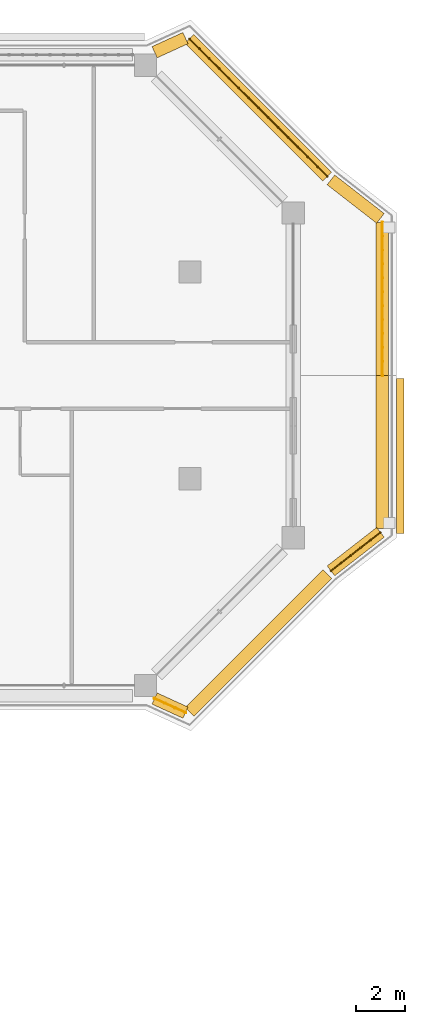
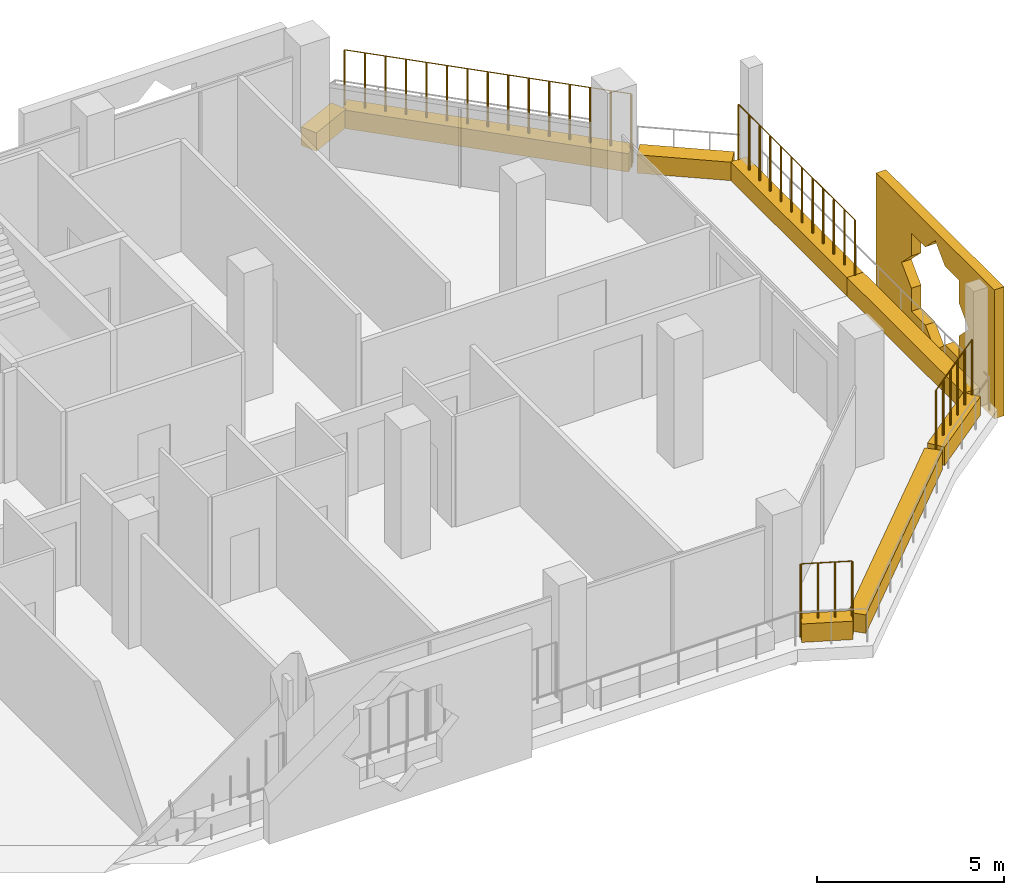
# One storey, part 22 of 22: 9 coverings, 4 railings.
"""IFC4 building model written with IfcOpenShell, lengths in metres."""

from ifc_helpers import new_model, si_unit, direction, frame, origin, origin_2d, place, context, subcontext, project, spatial, polyline, rectangle, circle, outline, extrude, material, material_profile, profile_set, type_object, element, save


model = new_model("IFC4")

# Units and contexts
model_context = context("Model", 3, precision=1e-05, world=origin(), true_north=direction((0.0, 1.0)))
body_context = subcontext(model_context, "Body", "Model", "MODEL_VIEW")
ifc_project = project(units=[si_unit("LENGTHUNIT", "METRE"), si_unit("AREAUNIT", "SQUARE_METRE"), si_unit("VOLUMEUNIT", "CUBIC_METRE"), si_unit("PLANEANGLEUNIT", "RADIAN"), si_unit("MASSUNIT", "GRAM", prefix="KILO")], contexts=[model_context])

# Site, building, storey
site_placement = place(None, origin())
site = spatial("IfcSite", under=ifc_project, at=site_placement, CompositionType="ELEMENT")
building_placement = place(site_placement, origin())
building = spatial("IfcBuilding", under=site, at=building_placement, Name="Kawkab Arch Medical Tower", CompositionType="ELEMENT")
storey_placement = place(building_placement, frame((0.0, 0.0, 255.800048828125)))
storey = spatial("IfcBuildingStorey", under=building, at=storey_placement, Name="L59", CompositionType="ELEMENT", Elevation=255.800048828125)

# Coverings
ifc_material_1 = material(Name="Bronze anodised aluminium mashrabiya panel, eight-point star pattern", Category="aluminium")
ifc_material_profile_1 = material_profile(ifc_material_1, outline(polyline([(-3.14990234375, -2.10009765625), (3.14990234375, -2.10009765625), (3.14990234375, 2.10009765625), (-3.14990234375, 2.10009765625), (-3.14990234375, -2.10009765625)]), holes=[polyline([(1.800048828125, 0.0), (1.272705078125, 0.527099609375), (1.272705078125, 1.272705078125), (0.527099609375, 1.272705078125), (0.0, 1.800048828125), (-0.527099609375, 1.272705078125), (-1.272705078125, 1.272705078125), (-1.272705078125, 0.527099609375), (-1.800048828125, 0.0), (-1.272705078125, -0.527099609375), (-1.272705078125, -1.272705078125), (-0.527099609375, -1.272705078125), (0.0, -1.800048828125), (0.527099609375, -1.272705078125), (1.272705078125, -1.272705078125), (1.272705078125, -0.527099609375), (1.800048828125, 0.0)])]), Name="Mashrabiya panel 6300x4200")
ifc_profile_set_1 = profile_set([ifc_material_profile_1], Name="Bronze anodised aluminium mashrabiya panel, eight-point star pattern")
covering_type_1 = type_object("IfcCoveringType", Name="Mashrabiya panel 6300 x 4200", PredefinedType="USERDEFINED", material=ifc_profile_set_1)
covering_1_placement = place(storey_placement, frame((67.199951171875, -15.877685546875, 1.699951171875), z_axis=(1.0, 0.0, 0.0), x_axis=(0.0, 1.0, 0.0)))
element("IfcCovering", 1, at=covering_1_placement, inside=storey, type_object=covering_type_1, Name="Mashrabiya panel L59.LOG-01-01.9", ObjectType="SCREEN", PredefinedType="USERDEFINED", context=body_context, shape_type="SweptSolid", body=[
    extrude(outline(polyline([(-3.14990234375, -2.10009765625), (3.14990234375, -2.10009765625), (3.14990234375, 2.10009765625), (-3.14990234375, 2.10009765625), (-3.14990234375, -2.10009765625)]), holes=[polyline([(1.800048828125, 0.0), (1.272705078125, 0.527099609375), (1.272705078125, 1.272705078125), (0.527099609375, 1.272705078125), (0.0, 1.800048828125), (-0.527099609375, 1.272705078125), (-1.272705078125, 1.272705078125), (-1.272705078125, 0.527099609375), (-1.800048828125, 0.0), (-1.272705078125, -0.527099609375), (-1.272705078125, -1.272705078125), (-0.527099609375, -1.272705078125), (0.0, -1.800048828125), (0.527099609375, -1.272705078125), (1.272705078125, -1.272705078125), (1.272705078125, -0.527099609375), (1.800048828125, 0.0)])]), origin(), (0.0, 0.0, 1.0), 0.300048828125),
])
ifc_material_2 = material(Name="Planting soil in a precast trough", Category="concrete")
ifc_material_profile_2 = material_profile(ifc_material_2, rectangle(XDim=0.5, YDim=0.60009765625, at=origin_2d()), Name="Trough 500x600")
ifc_profile_set_2 = profile_set([ifc_material_profile_2], Name="Planting soil in a precast trough")
covering_type_2 = type_object("IfcCoveringType", Name="Planter trough 500 x 600", PredefinedType="USERDEFINED", material=ifc_profile_set_2)
covering_2_placement = place(storey_placement, frame((57.366943359375, 0.530029296875, 0.300048828125), z_axis=(0.909831953447, 0.41497688669, 0.0), x_axis=(-0.41497688669, 0.909831953447, 0.0)))
element("IfcCovering", 2, at=covering_2_placement, inside=storey, type_object=covering_type_2, Name="Planter L59.LOG-01-01.24", ObjectType="PLANTER", PredefinedType="USERDEFINED", context=body_context, shape_type="SweptSolid", body=[
    extrude(rectangle(XDim=0.5, YDim=0.60009765625, at=origin_2d()), origin(), (0.0, 0.0, 1.0), 1.37841796875),
])
covering_3_placement = place(storey_placement, frame((58.782958984375, 1.072998046875, 0.300048828125), z_axis=(0.707106781187, -0.707106781187, 0.0), x_axis=(0.707106781187, 0.707106781187, 0.0)))
element("IfcCovering", 3, at=covering_3_placement, inside=storey, type_object=covering_type_2, Name="Planter L59.LOG-01-01.25", ObjectType="PLANTER", PredefinedType="USERDEFINED", context=body_context, shape_type="SweptSolid", body=[
    extrude(rectangle(XDim=0.5, YDim=0.60009765625, at=origin_2d()), origin(), (0.0, 0.0, 1.0), 7.919677734375),
])
covering_4_placement = place(storey_placement, frame((64.531982421875, -4.658935546875, 0.300048828125), z_axis=(0.789274742246, -0.61404021143, 0.0), x_axis=(0.61404021143, 0.789274742246, 0.0)))
element("IfcCovering", 4, at=covering_4_placement, inside=storey, type_object=covering_type_2, Name="Planter L59.LOG-01-01.26", ObjectType="PLANTER", PredefinedType="USERDEFINED", context=body_context, shape_type="SweptSolid", body=[
    extrude(rectangle(XDim=0.5, YDim=0.60009765625, at=origin_2d()), origin(), (0.0, 0.0, 1.0), 2.54541015625),
])
covering_5_placement = place(storey_placement, frame((66.6201171875, -6.384033203125, 0.300048828125), z_axis=(0.0, -1.0, 0.0), x_axis=(1.0, 0.0, 0.0)))
element("IfcCovering", 5, at=covering_5_placement, inside=storey, type_object=covering_type_2, Name="Planter L59.LOG-01-01.27", ObjectType="PLANTER", PredefinedType="USERDEFINED", context=body_context, shape_type="SweptSolid", body=[
    extrude(rectangle(XDim=0.5, YDim=0.60009765625, at=origin_2d()), origin(), (0.0, 0.0, 1.0), 6.216064453125),
])
covering_6_placement = place(storey_placement, frame((66.6201171875, -12.60009765625, 0.300048828125), z_axis=(0.0, -1.0, 0.0), x_axis=(1.0, 0.0, 0.0)))
element("IfcCovering", 6, at=covering_6_placement, inside=storey, type_object=covering_type_2, Name="Planter L59.LOG-01-01.28", ObjectType="PLANTER", PredefinedType="USERDEFINED", context=body_context, shape_type="SweptSolid", body=[
    extrude(rectangle(XDim=0.5, YDim=0.60009765625, at=origin_2d()), origin(), (0.0, 0.0, 1.0), 6.2158203125),
])
covering_7_placement = place(storey_placement, frame((66.541015625, -18.97802734375, 0.300048828125), z_axis=(-0.789274742246, -0.61404021143, 0.0), x_axis=(0.61404021143, -0.789274742246, 0.0)))
element("IfcCovering", 7, at=covering_7_placement, inside=storey, type_object=covering_type_2, Name="Planter L59.LOG-01-01.29", ObjectType="PLANTER", PredefinedType="USERDEFINED", context=body_context, shape_type="SweptSolid", body=[
    extrude(rectangle(XDim=0.5, YDim=0.60009765625, at=origin_2d()), origin(), (0.0, 0.0, 1.0), 2.54541015625),
])
covering_8_placement = place(storey_placement, frame((64.383056640625, -20.673095703125, 0.300048828125), z_axis=(-0.70712219479, -0.707091367247, 0.0), x_axis=(0.707091367247, -0.70712219479, 0.0)))
element("IfcCovering", 8, at=covering_8_placement, inside=storey, type_object=covering_type_2, Name="Planter L59.LOG-01-01.30", ObjectType="PLANTER", PredefinedType="USERDEFINED", context=body_context, shape_type="SweptSolid", body=[
    extrude(rectangle(XDim=0.5, YDim=0.60009765625, at=origin_2d()), origin(), (0.0, 0.0, 1.0), 7.919677734375),
])
covering_9_placement = place(storey_placement, frame((58.62109375, -26.302001953125, 0.300048828125), z_axis=(-0.909831953447, 0.41497688669, 0.0), x_axis=(-0.41497688669, -0.909831953447, 0.0)))
element("IfcCovering", 9, at=covering_9_placement, inside=storey, type_object=covering_type_2, Name="Planter L59.LOG-01-01.31", ObjectType="PLANTER", PredefinedType="USERDEFINED", context=body_context, shape_type="SweptSolid", body=[
    extrude(rectangle(XDim=0.5, YDim=0.60009765625, at=origin_2d()), origin(), (0.0, 0.0, 1.0), 1.37841796875),
])

# Railings
ifc_material_3 = material(Name="Bronze anodised aluminium trellis for climbing plants", Category="aluminium")
railing_type = type_object("IfcRailingType", Name="Planting trellis 2400", PredefinedType="USERDEFINED", material=ifc_material_3)
railing_1_placement = place(storey_placement, frame((58.782958984375, 1.072998046875, 0.0)))
element("IfcRailing", 10, at=railing_1_placement, inside=storey, type_object=railing_type, Name="Planting trellis L59.LOG-01-01.25", ObjectType="TRELLIS", PredefinedType="USERDEFINED", context=body_context, shape_type="SweptSolid", body=[
    extrude(circle(Radius=0.01513671875, at=origin_2d()), frame((0.0, 0.0, 2.384765625), z_axis=(0.707106781187, -0.707106781187, 0.0), x_axis=(0.707106781187, 0.707106781187, 0.0)), (0.0, 0.0, 1.0), 7.919677734375),
    extrude(circle(Radius=0.030029296875, at=origin_2d()), origin(), (0.0, 0.0, 1.0), 2.369873046875),
    extrude(circle(Radius=0.030029296875, at=origin_2d()), frame((0.39990234375, -0.39990234375, 0.0)), (0.0, 0.0, 1.0), 2.369873046875),
    extrude(circle(Radius=0.030029296875, at=origin_2d()), frame((0.800048828125, -0.800048828125, 0.0)), (0.0, 0.0, 1.0), 2.369873046875),
    extrude(circle(Radius=0.030029296875, at=origin_2d()), frame((1.199951171875, -1.199951171875, 0.0)), (0.0, 0.0, 1.0), 2.369873046875),
    extrude(circle(Radius=0.030029296875, at=origin_2d()), frame((1.60009765625, -1.60009765625, 0.0)), (0.0, 0.0, 1.0), 2.369873046875),
    extrude(circle(Radius=0.030029296875, at=origin_2d()), frame((2.0, -2.0, 0.0)), (0.0, 0.0, 1.0), 2.369873046875),
    extrude(circle(Radius=0.030029296875, at=origin_2d()), frame((2.400146484375, -2.400146484375, 0.0)), (0.0, 0.0, 1.0), 2.369873046875),
    extrude(circle(Radius=0.030029296875, at=origin_2d()), frame((2.800048828125, -2.800048828125, 0.0)), (0.0, 0.0, 1.0), 2.369873046875),
    extrude(circle(Radius=0.030029296875, at=origin_2d()), frame((3.199951171875, -3.199951171875, 0.0)), (0.0, 0.0, 1.0), 2.369873046875),
    extrude(circle(Radius=0.030029296875, at=origin_2d()), frame((3.60009765625, -3.60009765625, 0.0)), (0.0, 0.0, 1.0), 2.369873046875),
    extrude(circle(Radius=0.030029296875, at=origin_2d()), frame((4.0, -4.0, 0.0)), (0.0, 0.0, 1.0), 2.369873046875),
    extrude(circle(Radius=0.030029296875, at=origin_2d()), frame((4.400146484375, -4.400146484375, 0.0)), (0.0, 0.0, 1.0), 2.369873046875),
    extrude(circle(Radius=0.030029296875, at=origin_2d()), frame((4.800048828125, -4.800048828125, 0.0)), (0.0, 0.0, 1.0), 2.369873046875),
    extrude(circle(Radius=0.030029296875, at=origin_2d()), frame((5.2001953125, -5.2001953125, 0.0)), (0.0, 0.0, 1.0), 2.369873046875),
    extrude(circle(Radius=0.030029296875, at=origin_2d()), frame((5.60009765625, -5.60009765625, 0.0)), (0.0, 0.0, 1.0), 2.369873046875),
])
railing_2_placement = place(storey_placement, frame((66.6201171875, -6.384033203125, 0.0)))
element("IfcRailing", 11, at=railing_2_placement, inside=storey, type_object=railing_type, Name="Planting trellis L59.LOG-01-01.27", ObjectType="TRELLIS", PredefinedType="USERDEFINED", context=body_context, shape_type="SweptSolid", body=[
    extrude(circle(Radius=0.01513671875, at=origin_2d()), frame((0.0, 0.0, 2.384765625), z_axis=(0.0, -1.0, 0.0), x_axis=(1.0, 0.0, 0.0)), (0.0, 0.0, 1.0), 6.216064453125),
    extrude(circle(Radius=0.030029296875, at=origin_2d()), origin(), (0.0, 0.0, 1.0), 2.369873046875),
    extrude(circle(Radius=0.030029296875, at=origin_2d()), frame((0.0, -0.565185546875, 0.0)), (0.0, 0.0, 1.0), 2.369873046875),
    extrude(circle(Radius=0.030029296875, at=origin_2d()), frame((0.0, -1.130126953125, 0.0)), (0.0, 0.0, 1.0), 2.369873046875),
    extrude(circle(Radius=0.030029296875, at=origin_2d()), frame((0.0, -1.6953125, 0.0)), (0.0, 0.0, 1.0), 2.369873046875),
    extrude(circle(Radius=0.030029296875, at=origin_2d()), frame((0.0, -2.260498046875, 0.0)), (0.0, 0.0, 1.0), 2.369873046875),
    extrude(circle(Radius=0.030029296875, at=origin_2d()), frame((0.0, -2.825439453125, 0.0)), (0.0, 0.0, 1.0), 2.369873046875),
    extrude(circle(Radius=0.030029296875, at=origin_2d()), frame((0.0, -3.390625, 0.0)), (0.0, 0.0, 1.0), 2.369873046875),
    extrude(circle(Radius=0.030029296875, at=origin_2d()), frame((0.0, -3.95556640625, 0.0)), (0.0, 0.0, 1.0), 2.369873046875),
    extrude(circle(Radius=0.030029296875, at=origin_2d()), frame((0.0, -4.520751953125, 0.0)), (0.0, 0.0, 1.0), 2.369873046875),
    extrude(circle(Radius=0.030029296875, at=origin_2d()), frame((0.0, -5.0859375, 0.0)), (0.0, 0.0, 1.0), 2.369873046875),
    extrude(circle(Radius=0.030029296875, at=origin_2d()), frame((0.0, -5.65087890625, 0.0)), (0.0, 0.0, 1.0), 2.369873046875),
    extrude(circle(Radius=0.030029296875, at=origin_2d()), frame((0.0, -6.216064453125, 0.0)), (0.0, 0.0, 1.0), 2.369873046875),
])
railing_3_placement = place(storey_placement, frame((66.541015625, -18.97802734375, 0.0)))
element("IfcRailing", 12, at=railing_3_placement, inside=storey, type_object=railing_type, Name="Planting trellis L59.LOG-01-01.29", ObjectType="TRELLIS", PredefinedType="USERDEFINED", context=body_context, shape_type="SweptSolid", body=[
    extrude(circle(Radius=0.01513671875, at=origin_2d()), frame((0.0, 0.0, 2.384765625), z_axis=(-0.789274742246, -0.61404021143, 0.0), x_axis=(0.61404021143, -0.789274742246, 0.0)), (0.0, 0.0, 1.0), 2.54541015625),
    extrude(circle(Radius=0.030029296875, at=origin_2d()), origin(), (0.0, 0.0, 1.0), 2.369873046875),
    extrude(circle(Radius=0.030029296875, at=origin_2d()), frame((-0.40185546875, -0.3125, 0.0)), (0.0, 0.0, 1.0), 2.369873046875),
    extrude(circle(Radius=0.030029296875, at=origin_2d()), frame((-0.8037109375, -0.625244140625, 0.0)), (0.0, 0.0, 1.0), 2.369873046875),
    extrude(circle(Radius=0.030029296875, at=origin_2d()), frame((-1.205322265625, -0.937744140625, 0.0)), (0.0, 0.0, 1.0), 2.369873046875),
    extrude(circle(Radius=0.030029296875, at=origin_2d()), frame((-1.607177734375, -1.25048828125, 0.0)), (0.0, 0.0, 1.0), 2.369873046875),
    extrude(circle(Radius=0.030029296875, at=origin_2d()), frame((-2.009033203125, -1.56298828125, 0.0)), (0.0, 0.0, 1.0), 2.369873046875),
])
railing_4_placement = place(storey_placement, frame((58.62109375, -26.302001953125, 0.0)))
element("IfcRailing", 13, at=railing_4_placement, inside=storey, type_object=railing_type, Name="Planting trellis L59.LOG-01-01.31", ObjectType="TRELLIS", PredefinedType="USERDEFINED", context=body_context, shape_type="SweptSolid", body=[
    extrude(circle(Radius=0.01513671875, at=origin_2d()), frame((0.0, 0.0, 2.384765625), z_axis=(-0.909831953447, 0.41497688669, 0.0), x_axis=(-0.41497688669, -0.909831953447, 0.0)), (0.0, 0.0, 1.0), 1.37841796875),
    extrude(circle(Radius=0.030029296875, at=origin_2d()), origin(), (0.0, 0.0, 1.0), 2.369873046875),
    extrude(circle(Radius=0.030029296875, at=origin_2d()), frame((-0.41796875, 0.190673828125, 0.0)), (0.0, 0.0, 1.0), 2.369873046875),
    extrude(circle(Radius=0.030029296875, at=origin_2d()), frame((-0.836181640625, 0.38134765625, 0.0)), (0.0, 0.0, 1.0), 2.369873046875),
    extrude(circle(Radius=0.030029296875, at=origin_2d()), frame((-1.254150390625, 0.572021484375, 0.0)), (0.0, 0.0, 1.0), 2.369873046875),
])

save(model, "model.ifc")
